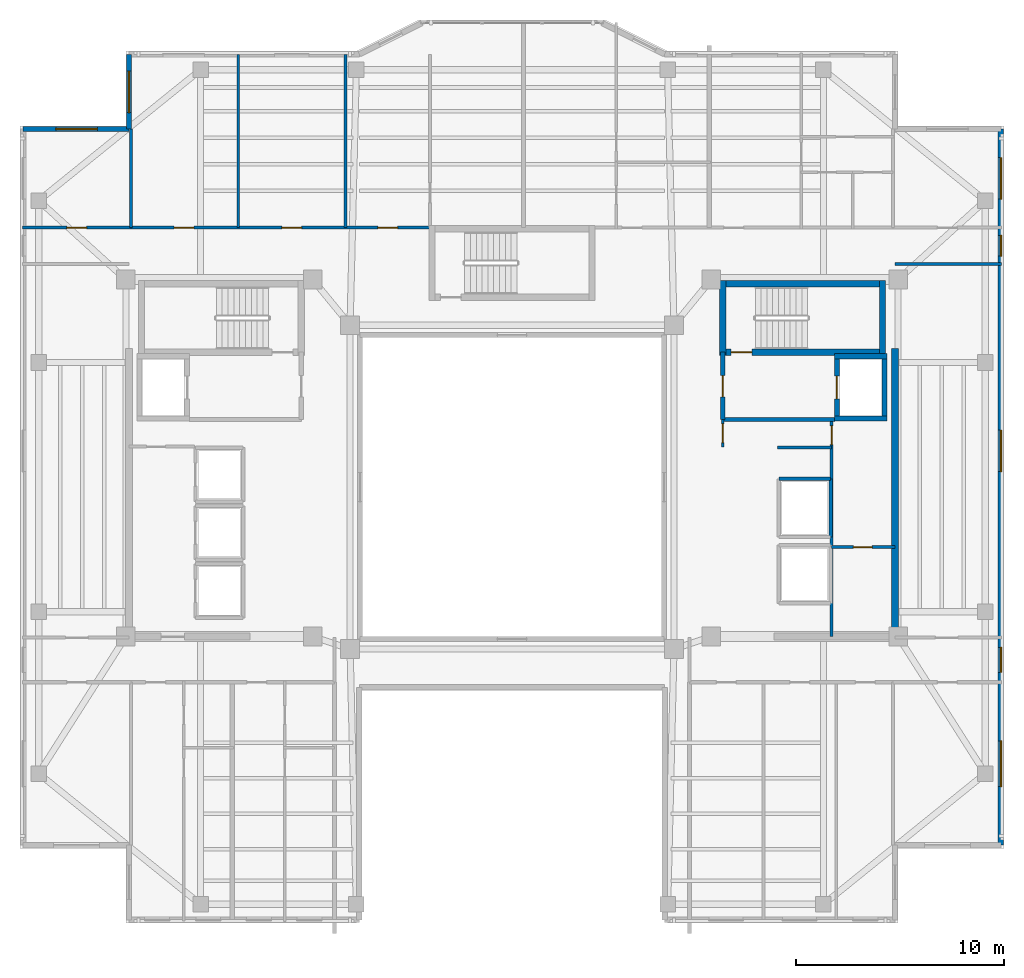
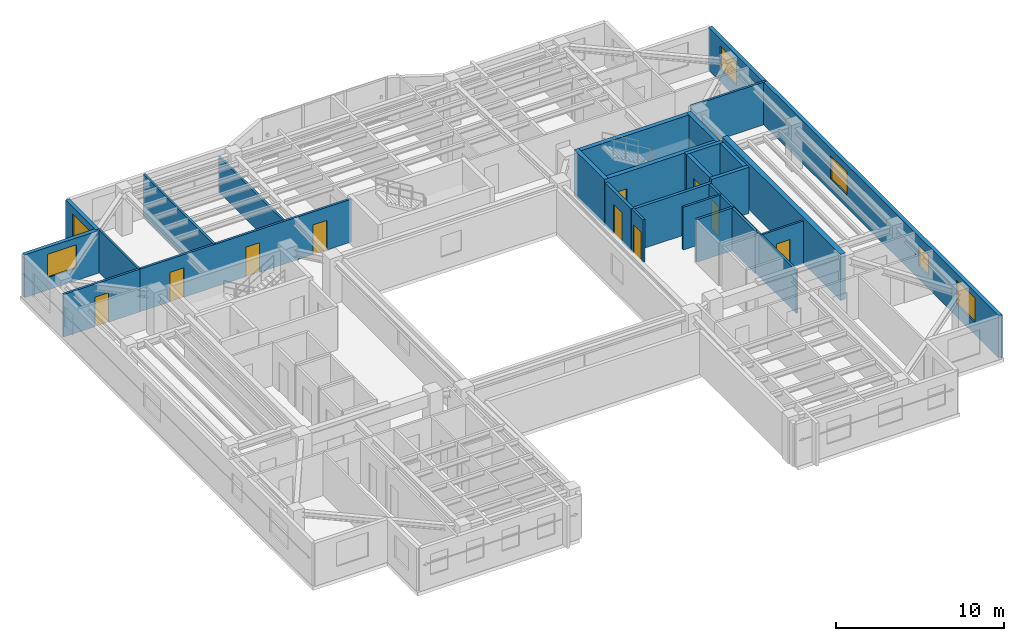
# One storey, part 6 of 11: 26 walls, 10 doors, 7 windows, 17 openings.
"""IFC4 building model written with IfcOpenShell, lengths in metres."""

from ifc_helpers import new_model, si_unit, direction, frame, frame_2d, origin, place, context, subcontext, project, spatial, rectangle, extrude, material, layer, layer_set, type_object, element, fill, save


model = new_model("IFC4")

# Units and contexts
model_context = context("Model", 3, precision=1e-05, world=origin(), true_north=direction((0.0, 1.0)))
body_context = subcontext(model_context, "Body", "Model", "MODEL_VIEW")
ifc_project = project(units=[si_unit("LENGTHUNIT", "METRE"), si_unit("AREAUNIT", "SQUARE_METRE"), si_unit("VOLUMEUNIT", "CUBIC_METRE"), si_unit("PLANEANGLEUNIT", "RADIAN"), si_unit("MASSUNIT", "GRAM", prefix="KILO")], contexts=[model_context])

# Site, building, storey
site_placement = place(None, origin())
site = spatial("IfcSite", under=ifc_project, at=site_placement, CompositionType="ELEMENT")
building_placement = place(site_placement, origin())
building = spatial("IfcBuilding", under=site, at=building_placement, Name="Tarnavaz Court Tower", CompositionType="ELEMENT")
storey_placement = place(building_placement, frame((0.0, 0.0, 213.699951171875)))
storey = spatial("IfcBuildingStorey", under=building, at=storey_placement, Name="L58", CompositionType="ELEMENT", Elevation=213.699951171875)

# Wall, opening, door
ifc_material_1 = material(Name="Concrete C50/60", Category="concrete")
ifc_layer_1 = layer(ifc_material_1, 0.25)
ifc_layer_set_1 = layer_set([ifc_layer_1], Name="Concrete C50/60")
wall_type_1 = type_object("IfcWallType", Name="WL-CORE-250-C50", PredefinedType="SHEAR", material=ifc_layer_set_1)
wall_1_placement = place(storey_placement, frame((15.64990234375, 3.175048828125, 0.0), z_axis=(0.0, 0.0, 1.0), x_axis=(0.0, 1.0, 0.0)))
wall_1 = element("IfcWall", 1, at=wall_1_placement, inside=storey, type_object=wall_type_1, Name="L58 Lift FL-E1 Shaft Wall 033", PredefinedType="SHEAR", context=body_context, shape_type="SweptSolid", body=[
    extrude(rectangle(XDim=3.25, YDim=0.25, at=frame_2d((1.625, 0.0))), origin(), (0.0, 0.0, 1.0), 3.35009765625),
])
opening_1_placement = place(wall_1_placement, frame((1.074951171875, 0.0, 0.0)))
opening_1 = element("IfcOpeningElement", 2, at=opening_1_placement, cuts=wall_1, Name="Opening LD1", PredefinedType="OPENING", context=body_context, shape_type="SweptSolid", body=[
    extrude(rectangle(XDim=1.10009765625, YDim=2.14990234375, at=frame_2d((0.550048828125, 1.074951171875))), frame((0.0, 0.135009765625, 0.0), z_axis=(0.0, -1.0, 0.0), x_axis=(1.0, 0.0, 0.0)), (0.0, 0.0, 1.0), 0.27001953125),
])
ifc_material_2 = material(Name="Stainless Steel", Category="steel")
door_type_1 = type_object("IfcDoorType", Name="DR-LD-1100", OperationType="NOTDEFINED", PredefinedType="DOOR", material=ifc_material_2)
door_1_placement = place(opening_1_placement, origin())
door_1 = element("IfcDoor", 3, at=door_1_placement, inside=storey, type_object=door_type_1, Name="L58 Lift Landing Door LD-FL-E1", OperationType="SLIDING_TO_LEFT", OverallHeight=2.14990234375, OverallWidth=1.10009765625, PredefinedType="DOOR", context=body_context, shape_type="SweptSolid", body=[
    extrude(rectangle(XDim=1.10009765625, YDim=2.14990234375, at=frame_2d((0.550048828125, 1.074951171875))), frame((0.0, 0.02490234375, 0.0), z_axis=(0.0, -1.0, 0.0), x_axis=(1.0, 0.0, 0.0)), (0.0, 0.0, 1.0), 0.050048828125),
])
fill(opening_1, door_1)

# Walls
wall_2_placement = place(storey_placement, frame((17.949951171875, 3.175048828125, 0.0), z_axis=(0.0, 0.0, 1.0), x_axis=(0.0, 1.0, 0.0)))
element("IfcWall", 4, at=wall_2_placement, inside=storey, type_object=wall_type_1, Name="L58 Lift FL-E1 Shaft Wall 034", PredefinedType="SHEAR", context=body_context, shape_type="SweptSolid", body=[
    extrude(rectangle(XDim=3.25, YDim=0.25, at=frame_2d((1.625, 0.0))), origin(), (0.0, 0.0, 1.0), 3.35009765625),
])
for number, where, z_axis, x_axis, name in (
    (5, (15.52490234375, 3.300048828125, 0.0), (0.0, 0.0, 1.0), (1.0, 0.0, 0.0), "L58 Lift FL-E1 Shaft Wall 035"),
    (6, (15.52490234375, 6.300048828125, 0.0), (0.0, 0.0, 1.0), (1.0, 0.0, 0.0), "L58 Lift FL-E1 Shaft Wall 036"),
):
    element("IfcWall", number, at=place(storey_placement, frame(where, z_axis=z_axis, x_axis=x_axis)), inside=storey, type_object=wall_type_1, Name=name, PredefinedType="SHEAR", context=body_context, shape_type="SweptSolid", body=[
        extrude(rectangle(XDim=2.550048828125, YDim=0.25, at=frame_2d((1.27490234375, 0.0))), origin(), (0.0, 0.0, 1.0), 3.35009765625),
    ])
ifc_layer_2 = layer(ifc_material_1, 0.300048828125)
ifc_layer_set_2 = layer_set([ifc_layer_2], Name="Concrete C50/60")
wall_type_2 = type_object("IfcWallType", Name="WL-CORE-300-C50", PredefinedType="SHEAR", material=ifc_layer_set_2)
wall_3_placement = place(storey_placement, frame((10.0, 9.7900390625, 0.0), z_axis=(0.0, 0.0, 1.0), x_axis=(1.0, 0.0, 0.0)))
element("IfcWall", 7, at=wall_3_placement, inside=storey, type_object=wall_type_2, Name="L58 East Stair Core Wall 005", PredefinedType="SHEAR", context=body_context, shape_type="SweptSolid", body=[
    extrude(rectangle(XDim=8.0, YDim=0.300048828125, at=frame_2d((4.0, 0.0))), origin(), (0.0, 0.0, 1.0), 3.35009765625),
])

# Wall, opening, door
wall_4_placement = place(storey_placement, frame((10.0, 6.5, 0.0), z_axis=(0.0, 0.0, 1.0), x_axis=(1.0, 0.0, 0.0)))
wall_4 = element("IfcWall", 8, at=wall_4_placement, inside=storey, type_object=wall_type_2, Name="L58 East Stair Core Wall 006", PredefinedType="SHEAR", context=body_context, shape_type="SweptSolid", body=[
    extrude(rectangle(XDim=8.0, YDim=0.300048828125, at=frame_2d((4.0, 0.0))), origin(), (0.0, 0.0, 1.0), 3.35009765625),
])
opening_2_placement = place(wall_4_placement, frame((0.550048828125, 0.0, 0.0)))
opening_2 = element("IfcOpeningElement", 9, at=opening_2_placement, cuts=wall_4, Name="Opening D01", PredefinedType="OPENING", context=body_context, shape_type="SweptSolid", body=[
    extrude(rectangle(XDim=1.0, YDim=2.14990234375, at=frame_2d((0.5, 1.074951171875))), frame((0.0, 0.159912109375, 0.0), z_axis=(0.0, -1.0, 0.0), x_axis=(1.0, 0.0, 0.0)), (0.0, 0.0, 1.0), 0.320068359375),
])
ifc_material_3 = material(Name="Fire-Rated Hardwood Timber Core", Category="wood")
door_type_2 = type_object("IfcDoorType", Name="DR-FD90-1000", OperationType="NOTDEFINED", PredefinedType="DOOR", material=ifc_material_3)
door_2_placement = place(opening_2_placement, origin())
door_2 = element("IfcDoor", 10, at=door_2_placement, inside=storey, type_object=door_type_2, Name="L58 Stair ST-E1 Exit Door", OperationType="SINGLE_SWING_RIGHT", OverallHeight=2.14990234375, OverallWidth=1.0, PredefinedType="DOOR", context=body_context, shape_type="SweptSolid", body=[
    extrude(rectangle(XDim=1.0, YDim=2.14990234375, at=frame_2d((0.5, 1.074951171875))), frame((0.0, 0.02490234375, 0.0), z_axis=(0.0, -1.0, 0.0), x_axis=(1.0, 0.0, 0.0)), (0.0, 0.0, 1.0), 0.050048828125),
])
fill(opening_2, door_2)

# Walls
for number, where, z_axis, x_axis, name in (
    (11, (10.14990234375, 6.35009765625, 0.0), (0.0, 0.0, 1.0), (0.0, 1.0, 0.0), "L58 East Stair Core Wall 007"),
    (12, (17.85009765625, 6.35009765625, 0.0), (0.0, 0.0, 1.0), (0.0, 1.0, 0.0), "L58 East Stair Core Wall 008"),
):
    element("IfcWall", number, at=place(storey_placement, frame(where, z_axis=z_axis, x_axis=x_axis)), inside=storey, type_object=wall_type_2, Name=name, PredefinedType="SHEAR", context=body_context, shape_type="SweptSolid", body=[
        extrude(rectangle(XDim=3.58984375, YDim=0.300048828125, at=frame_2d((1.794921875, 0.0))), origin(), (0.0, 0.0, 1.0), 3.35009765625),
    ])
ifc_layer_3 = layer(ifc_material_1, 0.35009765625)
ifc_layer_set_3 = layer_set([ifc_layer_3], Name="Concrete C50/60")
wall_type_3 = type_object("IfcWallType", Name="WL-CORE-350-C50", PredefinedType="SHEAR", material=ifc_layer_set_3)
wall_5_placement = place(storey_placement, frame((18.449951171875, -7.375, 0.0), z_axis=(0.0, 0.0, 1.0), x_axis=(0.0, 1.0, 0.0)))
element("IfcWall", 13, at=wall_5_placement, inside=storey, type_object=wall_type_3, Name="L58 East Core Shear Wall 047", PredefinedType="SHEAR", context=body_context, shape_type="SweptSolid", body=[
    extrude(rectangle(XDim=14.050048828125, YDim=0.35009765625, at=frame_2d((7.02490234375, 0.0))), origin(), (0.0, 0.0, 1.0), 3.35009765625),
])

# Wall, opening, window
ifc_material_4 = material(Name="Precast Concrete C40/50", Category="concrete")
ifc_layer_4 = layer(ifc_material_4, 0.260009765625)
ifc_layer_set_4 = layer_set([ifc_layer_4], Name="Precast Concrete C40/50")
wall_type_4 = type_object("IfcWallType", Name="WL-EXT-260", PredefinedType="SOLIDWALL", material=ifc_layer_set_4)
wall_6_placement = place(storey_placement, frame((-23.550048828125, 17.25, 0.0), z_axis=(0.0, 0.0, 1.0), x_axis=(1.0, 0.0, 0.0)))
wall_6 = element("IfcWall", 14, at=wall_6_placement, inside=storey, type_object=wall_type_4, Name="L58 Exterior Terracotta Facade Wall 03", PredefinedType="SOLIDWALL", context=body_context, shape_type="SweptSolid", body=[
    extrude(rectangle(XDim=5.10009765625, YDim=0.260009765625, at=frame_2d((2.550048828125, 0.0))), origin(), (0.0, 0.0, 1.0), 3.10009765625),
])
opening_3_placement = place(wall_6_placement, frame((1.574951171875, 0.0, 0.89990234375)))
opening_3 = element("IfcOpeningElement", 15, at=opening_3_placement, cuts=wall_6, Name="Opening W08", PredefinedType="OPENING", context=body_context, shape_type="SweptSolid", body=[
    extrude(rectangle(XDim=2.0, YDim=1.699951171875, at=frame_2d((1.0, 0.85009765625))), frame((0.0, 0.139892578125, 0.0), z_axis=(0.0, -1.0, 0.0), x_axis=(1.0, 0.0, 0.0)), (0.0, 0.0, 1.0), 0.280029296875),
])
ifc_material_5 = material(Name="Double-Glazed Solar Low-E Glass", Category="glass")
window_type_1 = type_object("IfcWindowType", Name="WN-APT-2000", PartitioningType="DOUBLE_PANEL_VERTICAL", PredefinedType="WINDOW", material=ifc_material_5)
window_1_placement = place(opening_3_placement, origin())
window_1 = element("IfcWindow", 16, at=window_1_placement, inside=storey, type_object=window_type_1, Name="L58 North-West Corner Sunroom Study Window", OverallHeight=1.699951171875, OverallWidth=2.0, PartitioningType="SINGLE_PANEL", PredefinedType="WINDOW", context=body_context, shape_type="SweptSolid", body=[
    extrude(rectangle(XDim=2.0, YDim=1.699951171875, at=frame_2d((1.0, 0.85009765625))), frame((0.0, 0.030029296875, 0.0), z_axis=(0.0, -1.0, 0.0), x_axis=(1.0, 0.0, 0.0)), (0.0, 0.0, 1.0), 0.06005859375),
])
fill(opening_3, window_1)

wall_7_placement = place(storey_placement, frame((-18.449951171875, 17.25, 0.0), z_axis=(0.0, 0.0, 1.0), x_axis=(0.0, 1.0, 0.0)))
wall_7 = element("IfcWall", 17, at=wall_7_placement, inside=storey, type_object=wall_type_4, Name="L58 Exterior Terracotta Facade Wall 04", PredefinedType="SOLIDWALL", context=body_context, shape_type="SweptSolid", body=[
    extrude(rectangle(XDim=3.60009765625, YDim=0.260009765625, at=frame_2d((1.800048828125, 0.0))), origin(), (0.0, 0.0, 1.0), 3.10009765625),
])
opening_4_placement = place(wall_7_placement, frame((0.782470703125, 0.0, 0.89990234375)))
opening_4 = element("IfcOpeningElement", 18, at=opening_4_placement, cuts=wall_7, Name="Opening W08", PredefinedType="OPENING", context=body_context, shape_type="SweptSolid", body=[
    extrude(rectangle(XDim=2.0, YDim=1.699951171875, at=frame_2d((1.0, 0.85009765625))), frame((0.0, 0.139892578125, 0.0), z_axis=(0.0, -1.0, 0.0), x_axis=(1.0, 0.0, 0.0)), (0.0, 0.0, 1.0), 0.280029296875),
])
window_2_placement = place(opening_4_placement, origin())
window_2 = element("IfcWindow", 19, at=window_2_placement, inside=storey, type_object=window_type_1, Name="L58 Resident Community Meeting Room Window", OverallHeight=1.699951171875, OverallWidth=2.0, PartitioningType="SINGLE_PANEL", PredefinedType="WINDOW", context=body_context, shape_type="SweptSolid", body=[
    extrude(rectangle(XDim=2.0, YDim=1.699951171875, at=frame_2d((1.0, 0.85009765625))), frame((0.0, 0.030029296875, 0.0), z_axis=(0.0, -1.0, 0.0), x_axis=(1.0, 0.0, 0.0)), (0.0, 0.0, 1.0), 0.06005859375),
])
fill(opening_4, window_2)

# Wall, openings, windows
wall_8_placement = place(storey_placement, frame((23.550048828125, 17.25, 0.0), z_axis=(0.0, 0.0, 1.0), x_axis=(0.0, -1.0, 0.0)))
wall_8 = element("IfcWall", 20, at=wall_8_placement, inside=storey, type_object=wall_type_4, Name="L58 Exterior Terracotta Facade Wall 12", PredefinedType="SOLIDWALL", context=body_context, shape_type="SweptSolid", body=[
    extrude(rectangle(XDim=34.5, YDim=0.260009765625, at=frame_2d((17.25, 0.0))), origin(), (0.0, 0.0, 1.0), 3.10009765625),
])
opening_5_placement = place(wall_8_placement, frame((1.375, 0.0, 0.89990234375)))
opening_5 = element("IfcOpeningElement", 21, at=opening_5_placement, cuts=wall_8, Name="Opening W08", PredefinedType="OPENING", context=body_context, shape_type="SweptSolid", body=[
    extrude(rectangle(XDim=2.0, YDim=1.699951171875, at=frame_2d((1.0, 0.85009765625))), frame((0.0, 0.139892578125, 0.0), z_axis=(0.0, -1.0, 0.0), x_axis=(1.0, 0.0, 0.0)), (0.0, 0.0, 1.0), 0.280029296875),
])
opening_6_placement = place(wall_8_placement, frame((5.125, 0.0, 0.949951171875)))
opening_6 = element("IfcOpeningElement", 22, at=opening_6_placement, cuts=wall_8, Name="Opening W14", PredefinedType="OPENING", context=body_context, shape_type="SweptSolid", body=[
    extrude(rectangle(XDim=1.0, YDim=1.5, at=frame_2d((0.5, 0.75))), frame((0.0, 0.139892578125, 0.0), z_axis=(0.0, -1.0, 0.0), x_axis=(1.0, 0.0, 0.0)), (0.0, 0.0, 1.0), 0.280029296875),
])
opening_7_placement = place(wall_8_placement, frame((14.5, 0.0, 0.89990234375)))
opening_7 = element("IfcOpeningElement", 23, at=opening_7_placement, cuts=wall_8, Name="Opening W08", PredefinedType="OPENING", context=body_context, shape_type="SweptSolid", body=[
    extrude(rectangle(XDim=2.0, YDim=1.699951171875, at=frame_2d((1.0, 0.85009765625))), frame((0.0, 0.139892578125, 0.0), z_axis=(0.0, -1.0, 0.0), x_axis=(1.0, 0.0, 0.0)), (0.0, 0.0, 1.0), 0.280029296875),
])
opening_8_placement = place(wall_8_placement, frame((24.97509765625, 0.0, 0.949951171875)))
opening_8 = element("IfcOpeningElement", 24, at=opening_8_placement, cuts=wall_8, Name="Opening W05", PredefinedType="OPENING", context=body_context, shape_type="SweptSolid", body=[
    extrude(rectangle(XDim=1.199951171875, YDim=1.5, at=frame_2d((0.60009765625, 0.75))), frame((0.0, 0.139892578125, 0.0), z_axis=(0.0, -1.0, 0.0), x_axis=(1.0, 0.0, 0.0)), (0.0, 0.0, 1.0), 0.280029296875),
])
opening_9_placement = place(wall_8_placement, frame((29.47509765625, 0.0, 0.89990234375)))
opening_9 = element("IfcOpeningElement", 25, at=opening_9_placement, cuts=wall_8, Name="Opening W07", PredefinedType="OPENING", context=body_context, shape_type="SweptSolid", body=[
    extrude(rectangle(XDim=2.199951171875, YDim=1.75, at=frame_2d((1.10009765625, 0.875))), frame((0.0, 0.139892578125, 0.0), z_axis=(0.0, -1.0, 0.0), x_axis=(1.0, 0.0, 0.0)), (0.0, 0.0, 1.0), 0.280029296875),
])
window_type_2 = type_object("IfcWindowType", Name="WN-APT-1000", PartitioningType="SINGLE_PANEL", PredefinedType="WINDOW", material=ifc_material_5)
window_3_placement = place(opening_6_placement, origin())
window_3 = element("IfcWindow", 26, at=window_3_placement, inside=storey, type_object=window_type_2, Name="L58 North-East Corner Corridor Window", OverallHeight=1.5, OverallWidth=1.0, PartitioningType="SINGLE_PANEL", PredefinedType="WINDOW", context=body_context, shape_type="SweptSolid", body=[
    extrude(rectangle(XDim=1.0, YDim=1.5, at=frame_2d((0.5, 0.75))), frame((0.0, 0.030029296875, 0.0), z_axis=(0.0, -1.0, 0.0), x_axis=(1.0, 0.0, 0.0)), (0.0, 0.0, 1.0), 0.06005859375),
])
fill(opening_6, window_3)
window_type_3 = type_object("IfcWindowType", Name="WN-APT-1200", PartitioningType="SINGLE_PANEL", PredefinedType="WINDOW", material=ifc_material_5)
window_4_placement = place(opening_8_placement, origin())
window_4 = element("IfcWindow", 27, at=window_4_placement, inside=storey, type_object=window_type_3, Name="L58 South-East Corner Corridor Window", OverallHeight=1.5, OverallWidth=1.199951171875, PartitioningType="SINGLE_PANEL", PredefinedType="WINDOW", context=body_context, shape_type="SweptSolid", body=[
    extrude(rectangle(XDim=1.199951171875, YDim=1.5, at=frame_2d((0.60009765625, 0.75))), frame((0.0, 0.030029296875, 0.0), z_axis=(0.0, -1.0, 0.0), x_axis=(1.0, 0.0, 0.0)), (0.0, 0.0, 1.0), 0.06005859375),
])
fill(opening_8, window_4)
window_5_placement = place(opening_5_placement, origin())
window_5 = element("IfcWindow", 28, at=window_5_placement, inside=storey, type_object=window_type_1, Name="L58 North-East Corner Sunroom Study Window", OverallHeight=1.699951171875, OverallWidth=2.0, PartitioningType="SINGLE_PANEL", PredefinedType="WINDOW", context=body_context, shape_type="SweptSolid", body=[
    extrude(rectangle(XDim=2.0, YDim=1.699951171875, at=frame_2d((1.0, 0.85009765625))), frame((0.0, 0.030029296875, 0.0), z_axis=(0.0, -1.0, 0.0), x_axis=(1.0, 0.0, 0.0)), (0.0, 0.0, 1.0), 0.06005859375),
])
fill(opening_5, window_5)
window_6_placement = place(opening_7_placement, origin())
window_6 = element("IfcWindow", 29, at=window_6_placement, inside=storey, type_object=window_type_1, Name="L58 East Wing Daycare Playroom Window", OverallHeight=1.699951171875, OverallWidth=2.0, PartitioningType="SINGLE_PANEL", PredefinedType="WINDOW", context=body_context, shape_type="SweptSolid", body=[
    extrude(rectangle(XDim=2.0, YDim=1.699951171875, at=frame_2d((1.0, 0.85009765625))), frame((0.0, 0.030029296875, 0.0), z_axis=(0.0, -1.0, 0.0), x_axis=(1.0, 0.0, 0.0)), (0.0, 0.0, 1.0), 0.06005859375),
])
fill(opening_7, window_6)
window_type_4 = type_object("IfcWindowType", Name="WN-APT-2200", PartitioningType="TRIPLE_PANEL_VERTICAL", PredefinedType="WINDOW", material=ifc_material_5)
window_7_placement = place(opening_9_placement, origin())
window_7 = element("IfcWindow", 30, at=window_7_placement, inside=storey, type_object=window_type_4, Name="L58 South-East Corner Reading Room Window", OverallHeight=1.75, OverallWidth=2.199951171875, PartitioningType="SINGLE_PANEL", PredefinedType="WINDOW", context=body_context, shape_type="SweptSolid", body=[
    extrude(rectangle(XDim=2.199951171875, YDim=1.75, at=frame_2d((1.10009765625, 0.875))), frame((0.0, 0.030029296875, 0.0), z_axis=(0.0, -1.0, 0.0), x_axis=(1.0, 0.0, 0.0)), (0.0, 0.0, 1.0), 0.06005859375),
])
fill(opening_9, window_7)

# Wall, openings, doors
ifc_material_6 = material(Name="Gypsum Fire-Board on Acoustic Metal Stud", Category="masonry")
ifc_layer_5 = layer(ifc_material_6, 0.14990234375)
ifc_layer_set_5 = layer_set([ifc_layer_5], Name="Gypsum Fire-Board on Acoustic Metal Stud")
wall_type_5 = type_object("IfcWallType", Name="WL-FIRE-150", PredefinedType="PARTITIONING", material=ifc_layer_set_5)
wall_9_placement = place(storey_placement, frame((-18.35009765625, 12.5, 0.0), z_axis=(0.0, 0.0, 1.0), x_axis=(1.0, 0.0, 0.0)))
wall_9 = element("IfcWall", 31, at=wall_9_placement, inside=storey, type_object=wall_type_5, Name="L58 NW Wing Corridor Wall 054", PredefinedType="PARTITIONING", context=body_context, shape_type="SweptSolid", body=[
    extrude(rectangle(XDim=14.5, YDim=0.14990234375, at=frame_2d((7.25, 0.0))), origin(), (0.0, 0.0, 1.0), 3.10009765625),
])
opening_10_placement = place(wall_9_placement, frame((2.075927734375, 0.0, 0.0)))
opening_10 = element("IfcOpeningElement", 32, at=opening_10_placement, cuts=wall_9, Name="Opening D13", PredefinedType="OPENING", context=body_context, shape_type="SweptSolid", body=[
    extrude(rectangle(XDim=0.949951171875, YDim=2.14990234375, at=frame_2d((0.47509765625, 1.074951171875))), frame((0.0, 0.0849609375, 0.0), z_axis=(0.0, -1.0, 0.0), x_axis=(1.0, 0.0, 0.0)), (0.0, 0.0, 1.0), 0.169921875),
])
opening_11_placement = place(wall_9_placement, frame((7.26904296875, 0.0, 0.0)))
opening_11 = element("IfcOpeningElement", 33, at=opening_11_placement, cuts=wall_9, Name="Opening D13", PredefinedType="OPENING", context=body_context, shape_type="SweptSolid", body=[
    extrude(rectangle(XDim=0.949951171875, YDim=2.14990234375, at=frame_2d((0.47509765625, 1.074951171875))), frame((0.0, 0.0849609375, 0.0), z_axis=(0.0, -1.0, 0.0), x_axis=(1.0, 0.0, 0.0)), (0.0, 0.0, 1.0), 0.169921875),
])
opening_12_placement = place(wall_9_placement, frame((11.887939453125, 0.0, 0.0)))
opening_12 = element("IfcOpeningElement", 34, at=opening_12_placement, cuts=wall_9, Name="Opening D13", PredefinedType="OPENING", context=body_context, shape_type="SweptSolid", body=[
    extrude(rectangle(XDim=0.949951171875, YDim=2.14990234375, at=frame_2d((0.47509765625, 1.074951171875))), frame((0.0, 0.0849609375, 0.0), z_axis=(0.0, -1.0, 0.0), x_axis=(1.0, 0.0, 0.0)), (0.0, 0.0, 1.0), 0.169921875),
])
ifc_material_7 = material(Name="Engineered Oak Timber", Category="wood")
door_type_3 = type_object("IfcDoorType", Name="DR-INT-950", OperationType="NOTDEFINED", PredefinedType="DOOR", material=ifc_material_7)
door_3_placement = place(opening_10_placement, origin())
door_3 = element("IfcDoor", 35, at=door_3_placement, inside=storey, type_object=door_type_3, Name="L58 Resident Community Meeting Room Door", OperationType="SINGLE_SWING_RIGHT", OverallHeight=2.14990234375, OverallWidth=0.949951171875, PredefinedType="DOOR", context=body_context, shape_type="SweptSolid", body=[
    extrude(rectangle(XDim=0.949951171875, YDim=2.14990234375, at=frame_2d((0.47509765625, 1.074951171875))), frame((0.0, 0.02490234375, 0.0), z_axis=(0.0, -1.0, 0.0), x_axis=(1.0, 0.0, 0.0)), (0.0, 0.0, 1.0), 0.050048828125),
])
fill(opening_10, door_3)
door_4_placement = place(opening_11_placement, origin())
door_4 = element("IfcDoor", 36, at=door_4_placement, inside=storey, type_object=door_type_3, Name="L58 Craft and Maker Workshop Room Door", OperationType="SINGLE_SWING_LEFT", OverallHeight=2.14990234375, OverallWidth=0.949951171875, PredefinedType="DOOR", context=body_context, shape_type="SweptSolid", body=[
    extrude(rectangle(XDim=0.949951171875, YDim=2.14990234375, at=frame_2d((0.47509765625, 1.074951171875))), frame((0.0, 0.02490234375, 0.0), z_axis=(0.0, -1.0, 0.0), x_axis=(1.0, 0.0, 0.0)), (0.0, 0.0, 1.0), 0.050048828125),
])
fill(opening_11, door_4)
door_5_placement = place(opening_12_placement, origin())
door_5 = element("IfcDoor", 37, at=door_5_placement, inside=storey, type_object=door_type_3, Name="L58 Accessible Washroom WC Door", OperationType="SINGLE_SWING_RIGHT", OverallHeight=2.14990234375, OverallWidth=0.949951171875, PredefinedType="DOOR", context=body_context, shape_type="SweptSolid", body=[
    extrude(rectangle(XDim=0.949951171875, YDim=2.14990234375, at=frame_2d((0.47509765625, 1.074951171875))), frame((0.0, 0.02490234375, 0.0), z_axis=(0.0, -1.0, 0.0), x_axis=(1.0, 0.0, 0.0)), (0.0, 0.0, 1.0), 0.050048828125),
])
fill(opening_12, door_5)

# Wall
wall_10_placement = place(storey_placement, frame((18.449951171875, 10.75, 0.0), z_axis=(0.0, 0.0, 1.0), x_axis=(1.0, 0.0, 0.0)))
element("IfcWall", 38, at=wall_10_placement, inside=storey, type_object=wall_type_5, Name="L58 Interior Partition 087", PredefinedType="PARTITIONING", context=body_context, shape_type="SweptSolid", body=[
    extrude(rectangle(XDim=5.130126953125, YDim=0.14990234375, at=frame_2d((2.56494140625, 0.0))), origin(), (0.0, 0.0, 1.0), 3.10009765625),
])

# Wall, opening, door
wall_11_placement = place(storey_placement, frame((-23.580078125, 12.5, 0.0), z_axis=(0.0, 0.0, 1.0), x_axis=(1.0, 0.0, 0.0)))
wall_11 = element("IfcWall", 39, at=wall_11_placement, inside=storey, type_object=wall_type_5, Name="L58 Interior Partition 092", PredefinedType="PARTITIONING", context=body_context, shape_type="SweptSolid", body=[
    extrude(rectangle(XDim=5.22998046875, YDim=0.14990234375, at=frame_2d((2.614990234375, 0.0))), origin(), (0.0, 0.0, 1.0), 3.10009765625),
])
opening_13_placement = place(wall_11_placement, frame((2.139892578125, 0.0, 0.0)))
opening_13 = element("IfcOpeningElement", 40, at=opening_13_placement, cuts=wall_11, Name="Opening D13", PredefinedType="OPENING", context=body_context, shape_type="SweptSolid", body=[
    extrude(rectangle(XDim=0.949951171875, YDim=2.14990234375, at=frame_2d((0.47509765625, 1.074951171875))), frame((0.0, 0.0849609375, 0.0), z_axis=(0.0, -1.0, 0.0), x_axis=(1.0, 0.0, 0.0)), (0.0, 0.0, 1.0), 0.169921875),
])
door_6_placement = place(opening_13_placement, origin())
door_6 = element("IfcDoor", 41, at=door_6_placement, inside=storey, type_object=door_type_3, Name="L58 NW Sunroom Door", OperationType="SINGLE_SWING_LEFT", OverallHeight=2.14990234375, OverallWidth=0.949951171875, PredefinedType="DOOR", context=body_context, shape_type="SweptSolid", body=[
    extrude(rectangle(XDim=0.949951171875, YDim=2.14990234375, at=frame_2d((0.47509765625, 1.074951171875))), frame((0.0, 0.02490234375, 0.0), z_axis=(0.0, -1.0, 0.0), x_axis=(1.0, 0.0, 0.0)), (0.0, 0.0, 1.0), 0.050048828125),
])
fill(opening_13, door_6)

# Wall
ifc_material_8 = material(Name="Autoclaved Aerated Concrete Blockwork", Category="masonry")
ifc_layer_6 = layer(ifc_material_8, 0.199951171875)
ifc_layer_set_6 = layer_set([ifc_layer_6], Name="Autoclaved Aerated Concrete Blockwork")
wall_type_6 = type_object("IfcWallType", Name="WL-FIRE-200", PredefinedType="SOLIDWALL", material=ifc_layer_set_6)
wall_12_placement = place(storey_placement, frame((10.14990234375, 3.25, 0.0), z_axis=(0.0, 0.0, 1.0), x_axis=(1.0, 0.0, 0.0)))
element("IfcWall", 42, at=wall_12_placement, inside=storey, type_object=wall_type_6, Name="L58 East Firefighting Lobby Wall 015", PredefinedType="SOLIDWALL", context=body_context, shape_type="SweptSolid", body=[
    extrude(rectangle(XDim=5.400146484375, YDim=0.199951171875, at=frame_2d((2.7001953125, 0.0))), origin(), (0.0, 0.0, 1.0), 3.10009765625),
])

# Wall, opening, door
wall_13_placement = place(storey_placement, frame((10.14990234375, 3.25, 0.0), z_axis=(0.0, 0.0, 1.0), x_axis=(0.0, 1.0, 0.0)))
wall_13 = element("IfcWall", 43, at=wall_13_placement, inside=storey, type_object=wall_type_6, Name="L58 East Firefighting Lobby Wall 016", PredefinedType="SOLIDWALL", context=body_context, shape_type="SweptSolid", body=[
    extrude(rectangle(XDim=3.25, YDim=0.199951171875, at=frame_2d((1.625, 0.0))), origin(), (0.0, 0.0, 1.0), 3.10009765625),
])
opening_14_placement = place(wall_13_placement, frame((1.10009765625, 0.0, 0.0)))
opening_14 = element("IfcOpeningElement", 44, at=opening_14_placement, cuts=wall_13, Name="Opening D05", PredefinedType="OPENING", context=body_context, shape_type="SweptSolid", body=[
    extrude(rectangle(XDim=1.02001953125, YDim=2.14990234375, at=frame_2d((0.510009765625, 1.074951171875))), frame((0.0, 0.10986328125, 0.0), z_axis=(0.0, -1.0, 0.0), x_axis=(1.0, 0.0, 0.0)), (0.0, 0.0, 1.0), 0.219970703125),
])
door_type_4 = type_object("IfcDoorType", Name="DR-FD60-1000", OperationType="NOTDEFINED", PredefinedType="DOOR", material=ifc_material_3)
door_7_placement = place(opening_14_placement, origin())
door_7 = element("IfcDoor", 45, at=door_7_placement, inside=storey, type_object=door_type_4, Name="L58 East Firefighting Lobby Door", OperationType="SINGLE_SWING_LEFT", OverallHeight=2.14990234375, OverallWidth=1.02001953125, PredefinedType="DOOR", context=body_context, shape_type="SweptSolid", body=[
    extrude(rectangle(XDim=1.02001953125, YDim=2.14990234375, at=frame_2d((0.510009765625, 1.074951171875))), frame((0.0, 0.02490234375, 0.0), z_axis=(0.0, -1.0, 0.0), x_axis=(1.0, 0.0, 0.0)), (0.0, 0.0, 1.0), 0.050048828125),
])
fill(opening_14, door_7)

# Wall
ifc_material_9 = material(Name="Gypsum Plasterboard Acoustic Partition", Category="masonry")
ifc_layer_7 = layer(ifc_material_9, 0.139892578125)
ifc_layer_set_7 = layer_set([ifc_layer_7], Name="Gypsum Plasterboard Acoustic Partition")
wall_type_7 = type_object("IfcWallType", Name="WL-PART-150", PredefinedType="PARTITIONING", material=ifc_layer_set_7)
wall_14_placement = place(storey_placement, frame((12.800048828125, 1.89990234375, 0.0), z_axis=(0.0, 0.0, 1.0), x_axis=(1.0, 0.0, 0.0)))
element("IfcWall", 46, at=wall_14_placement, inside=storey, type_object=wall_type_7, Name="L58 Interior Partition 050", PredefinedType="PARTITIONING", context=body_context, shape_type="SweptSolid", body=[
    extrude(rectangle(XDim=2.599853515625, YDim=0.139892578125, at=frame_2d((1.2998046875, 0.0))), origin(), (0.0, 0.0, 1.0), 3.10009765625),
])

# Wall, opening, door
wall_15_placement = place(storey_placement, frame((10.14990234375, 1.919921875, 0.0), z_axis=(0.0, 0.0, 1.0), x_axis=(0.0, 1.0, 0.0)))
wall_15 = element("IfcWall", 47, at=wall_15_placement, inside=storey, type_object=wall_type_7, Name="L58 Interior Partition 051", PredefinedType="PARTITIONING", context=body_context, shape_type="SweptSolid", body=[
    extrude(rectangle(XDim=1.330078125, YDim=0.139892578125, at=frame_2d((0.6650390625, 0.0))), origin(), (0.0, 0.0, 1.0), 3.10009765625),
])
opening_15_placement = place(wall_15_placement, frame((0.219970703125, 0.0, 0.0)))
opening_15 = element("IfcOpeningElement", 48, at=opening_15_placement, cuts=wall_15, Name="Opening D09", PredefinedType="OPENING", context=body_context, shape_type="SweptSolid", body=[
    extrude(rectangle(XDim=0.89990234375, YDim=2.080078125, at=frame_2d((0.449951171875, 1.0400390625))), frame((0.0, 0.079833984375, 0.0), z_axis=(0.0, -1.0, 0.0), x_axis=(1.0, 0.0, 0.0)), (0.0, 0.0, 1.0), 0.159912109375),
])
door_type_5 = type_object("IfcDoorType", Name="DR-FD30-900", OperationType="NOTDEFINED", PredefinedType="DOOR", material=ifc_material_3)
door_8_placement = place(opening_15_placement, origin())
door_8 = element("IfcDoor", 49, at=door_8_placement, inside=storey, type_object=door_type_5, Name="L58 East Core Service Lobby Door", OperationType="SINGLE_SWING_LEFT", OverallHeight=2.080078125, OverallWidth=0.89990234375, PredefinedType="DOOR", context=body_context, shape_type="SweptSolid", body=[
    extrude(rectangle(XDim=0.89990234375, YDim=2.080078125, at=frame_2d((0.449951171875, 1.0400390625))), frame((0.0, 0.02490234375, 0.0), z_axis=(0.0, -1.0, 0.0), x_axis=(1.0, 0.0, 0.0)), (0.0, 0.0, 1.0), 0.050048828125),
])
fill(opening_15, door_8)

wall_16_placement = place(storey_placement, frame((15.39990234375, -7.199951171875, 0.0), z_axis=(0.0, 0.0, 1.0), x_axis=(0.0, 1.0, 0.0)))
wall_16 = element("IfcWall", 50, at=wall_16_placement, inside=storey, type_object=wall_type_7, Name="L58 Interior Partition 052", PredefinedType="PARTITIONING", context=body_context, shape_type="SweptSolid", body=[
    extrude(rectangle(XDim=10.449951171875, YDim=0.139892578125, at=frame_2d((5.22509765625, 0.0))), origin(), (0.0, 0.0, 1.0), 3.10009765625),
])
opening_16_placement = place(wall_16_placement, frame((9.25, 0.0, 0.0)))
opening_16 = element("IfcOpeningElement", 51, at=opening_16_placement, cuts=wall_16, Name="Opening D09", PredefinedType="OPENING", context=body_context, shape_type="SweptSolid", body=[
    extrude(rectangle(XDim=0.89990234375, YDim=2.080078125, at=frame_2d((0.449951171875, 1.0400390625))), frame((0.0, 0.079833984375, 0.0), z_axis=(0.0, -1.0, 0.0), x_axis=(1.0, 0.0, 0.0)), (0.0, 0.0, 1.0), 0.159912109375),
])
door_9_placement = place(opening_16_placement, origin())
door_9 = element("IfcDoor", 52, at=door_9_placement, inside=storey, type_object=door_type_5, Name="L58 East Wet Riser Door", OperationType="SINGLE_SWING_RIGHT", OverallHeight=2.080078125, OverallWidth=0.89990234375, PredefinedType="DOOR", context=body_context, shape_type="SweptSolid", body=[
    extrude(rectangle(XDim=0.89990234375, YDim=2.080078125, at=frame_2d((0.449951171875, 1.0400390625))), frame((0.0, 0.02490234375, 0.0), z_axis=(0.0, -1.0, 0.0), x_axis=(1.0, 0.0, 0.0)), (0.0, 0.0, 1.0), 0.050048828125),
])
fill(opening_16, door_9)

wall_17_placement = place(storey_placement, frame((15.39990234375, -2.889892578125, 0.0), z_axis=(0.0, 0.0, 1.0), x_axis=(1.0, 0.0, 0.0)))
wall_17 = element("IfcWall", 53, at=wall_17_placement, inside=storey, type_object=wall_type_7, Name="L58 Interior Partition 053", PredefinedType="PARTITIONING", context=body_context, shape_type="SweptSolid", body=[
    extrude(rectangle(XDim=3.050048828125, YDim=0.139892578125, at=frame_2d((1.52490234375, 0.0))), origin(), (0.0, 0.0, 1.0), 3.10009765625),
])
opening_17_placement = place(wall_17_placement, frame((1.050048828125, 0.0, 0.0)))
opening_17 = element("IfcOpeningElement", 54, at=opening_17_placement, cuts=wall_17, Name="Opening D09", PredefinedType="OPENING", context=body_context, shape_type="SweptSolid", body=[
    extrude(rectangle(XDim=0.89990234375, YDim=2.080078125, at=frame_2d((0.449951171875, 1.0400390625))), frame((0.0, 0.079833984375, 0.0), z_axis=(0.0, -1.0, 0.0), x_axis=(1.0, 0.0, 0.0)), (0.0, 0.0, 1.0), 0.159912109375),
])
door_10_placement = place(opening_17_placement, origin())
door_10 = element("IfcDoor", 55, at=door_10_placement, inside=storey, type_object=door_type_5, Name="L58 East Electrical Plant Door", OperationType="SINGLE_SWING_LEFT", OverallHeight=2.080078125, OverallWidth=0.89990234375, PredefinedType="DOOR", context=body_context, shape_type="SweptSolid", body=[
    extrude(rectangle(XDim=0.89990234375, YDim=2.080078125, at=frame_2d((0.449951171875, 1.0400390625))), frame((0.0, 0.02490234375, 0.0), z_axis=(0.0, -1.0, 0.0), x_axis=(1.0, 0.0, 0.0)), (0.0, 0.0, 1.0), 0.050048828125),
])
fill(opening_17, door_10)

# Walls
wall_18_placement = place(storey_placement, frame((-13.18798828125, 12.5, 0.0), z_axis=(0.0, 0.0, 1.0), x_axis=(0.0, 1.0, 0.0)))
element("IfcWall", 56, at=wall_18_placement, inside=storey, type_object=wall_type_7, Name="L58 Interior Partition 062", PredefinedType="PARTITIONING", context=body_context, shape_type="SweptSolid", body=[
    extrude(rectangle(XDim=8.35009765625, YDim=0.139892578125, at=frame_2d((4.175048828125, 0.0))), origin(), (0.0, 0.0, 1.0), 3.10009765625),
])
wall_19_placement = place(storey_placement, frame((-8.02490234375, 12.5, 0.0), z_axis=(0.0, 0.0, 1.0), x_axis=(0.0, 1.0, 0.0)))
element("IfcWall", 57, at=wall_19_placement, inside=storey, type_object=wall_type_7, Name="L58 Interior Partition 063", PredefinedType="PARTITIONING", context=body_context, shape_type="SweptSolid", body=[
    extrude(rectangle(XDim=8.35009765625, YDim=0.139892578125, at=frame_2d((4.175048828125, 0.0))), origin(), (0.0, 0.0, 1.0), 2.5849609375),
])
wall_20_placement = place(storey_placement, frame((-18.35009765625, 12.5, 0.0), z_axis=(0.0, 0.0, 1.0), x_axis=(0.0, 1.0, 0.0)))
element("IfcWall", 58, at=wall_20_placement, inside=storey, type_object=wall_type_7, Name="L58 Interior Partition 090", PredefinedType="PARTITIONING", context=body_context, shape_type="SweptSolid", body=[
    extrude(rectangle(XDim=4.75, YDim=0.139892578125, at=frame_2d((2.375, 0.0))), origin(), (0.0, 0.0, 1.0), 3.10009765625),
])
ifc_layer_8 = layer(ifc_material_8, 0.159912109375)
ifc_layer_set_8 = layer_set([ifc_layer_8], Name="Autoclaved Aerated Concrete Blockwork")
wall_type_8 = type_object("IfcWallType", Name="WL-SHAFT-150", PredefinedType="SOLIDWALL", material=ifc_layer_set_8)
wall_21_placement = place(storey_placement, frame((15.35009765625, -2.39990234375, 0.0), z_axis=(0.0, 0.0, 1.0), x_axis=(0.0, 1.0, 0.0)))
element("IfcWall", 59, at=wall_21_placement, inside=storey, type_object=wall_type_8, Name="L58 Lift PL-OB2 Shaft Wall 042", PredefinedType="SOLIDWALL", context=body_context, shape_type="SweptSolid", body=[
    extrude(rectangle(XDim=2.7998046875, YDim=0.159912109375, at=frame_2d((1.39990234375, 0.0))), origin(), (0.0, 0.0, 1.0), 3.10009765625),
])
wall_22_placement = place(storey_placement, frame((12.85009765625, 0.39990234375, 0.0), z_axis=(0.0, 0.0, 1.0), x_axis=(1.0, 0.0, 0.0)))
element("IfcWall", 60, at=wall_22_placement, inside=storey, type_object=wall_type_8, Name="L58 Lift PL-OB2 Shaft Wall 044", PredefinedType="SOLIDWALL", context=body_context, shape_type="SweptSolid", body=[
    extrude(rectangle(XDim=2.5, YDim=0.159912109375, at=frame_2d((1.25, 0.0))), origin(), (0.0, 0.0, 1.0), 3.10009765625),
])

save(model, "model.ifc")
